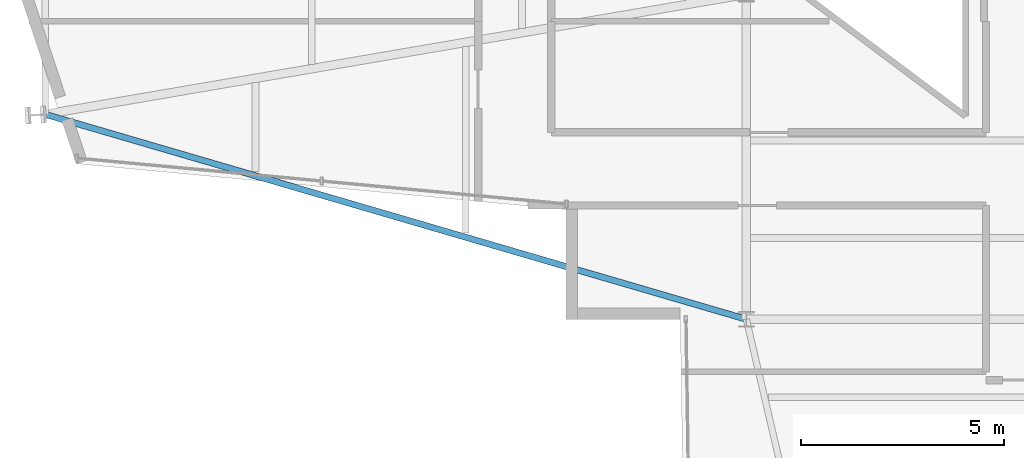
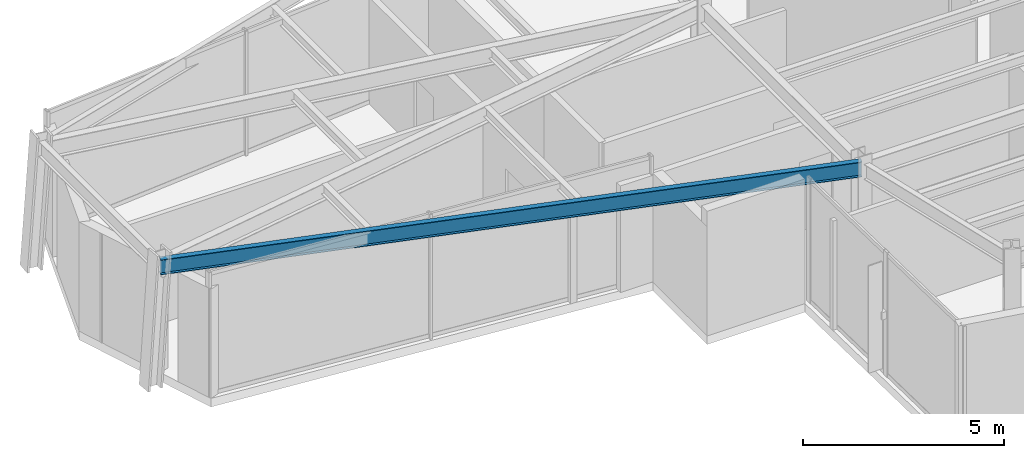
# One storey, part 4 of 23: 1 beam.
"""IFC4 building model written with IfcOpenShell, lengths in metres."""

from ifc_helpers import new_model, si_unit, direction, frame, origin, origin_2d, place, context, subcontext, project, spatial, i_section, extrude, material, material_profile, profile_set, type_object, element, save


model = new_model("IFC4")

# Units and contexts
model_context = context("Model", 3, precision=1e-05, world=origin(), true_north=direction((0.0, 1.0)))
body_context = subcontext(model_context, "Body", "Model", "MODEL_VIEW")
ifc_project = project(units=[si_unit("LENGTHUNIT", "METRE"), si_unit("AREAUNIT", "SQUARE_METRE"), si_unit("VOLUMEUNIT", "CUBIC_METRE"), si_unit("PLANEANGLEUNIT", "RADIAN"), si_unit("MASSUNIT", "GRAM", prefix="KILO")], contexts=[model_context])

# Site, building, storey
site_placement = place(None, origin())
site = spatial("IfcSite", under=ifc_project, at=site_placement, CompositionType="ELEMENT")
building_placement = place(site_placement, origin())
building = spatial("IfcBuilding", under=site, at=building_placement, Name="Veymaron Broadcast Tower", CompositionType="ELEMENT")
storey_placement = place(building_placement, frame((0.0, 0.0, 224.25)))
storey = spatial("IfcBuildingStorey", under=building, at=storey_placement, Name="L52", CompositionType="ELEMENT", Elevation=224.25)

# Beam
ifc_material = material(Name="Structural steel ASTM A992 Gr 50", Category="steel")
ifc_material_profile = material_profile(ifc_material, i_section(OverallWidth=0.154052734375, OverallDepth=0.458984375, WebThickness=0.009033203125, FlangeThickness=0.015380859375, at=origin_2d()), Name="W460X68")
ifc_profile_set = profile_set([ifc_material_profile], Name="Structural steel ASTM A992 Gr 50")
beam_type = type_object("IfcBeamType", Name="BM-SP2", PredefinedType="SPANDREL", material=ifc_profile_set)
beam_placement = place(storey_placement, frame((13.94091796875, 21.044921875, 3.560546875), z_axis=(0.95983483944, -0.28056564472, 0.0), x_axis=(0.28056564472, 0.95983483944, 0.0)))
element("IfcBeam", 1, at=beam_placement, inside=storey, type_object=beam_type, Name="L52 primary structural floor girder", PredefinedType="SPANDREL", context=body_context, shape_type="SweptSolid", body=[
    extrude(i_section(OverallWidth=0.154052734375, OverallDepth=0.458984375, WebThickness=0.009033203125, FlangeThickness=0.015380859375, at=origin_2d()), origin(), (0.0, 0.0, 1.0), 17.981201171875),
])

save(model, "model.ifc")
